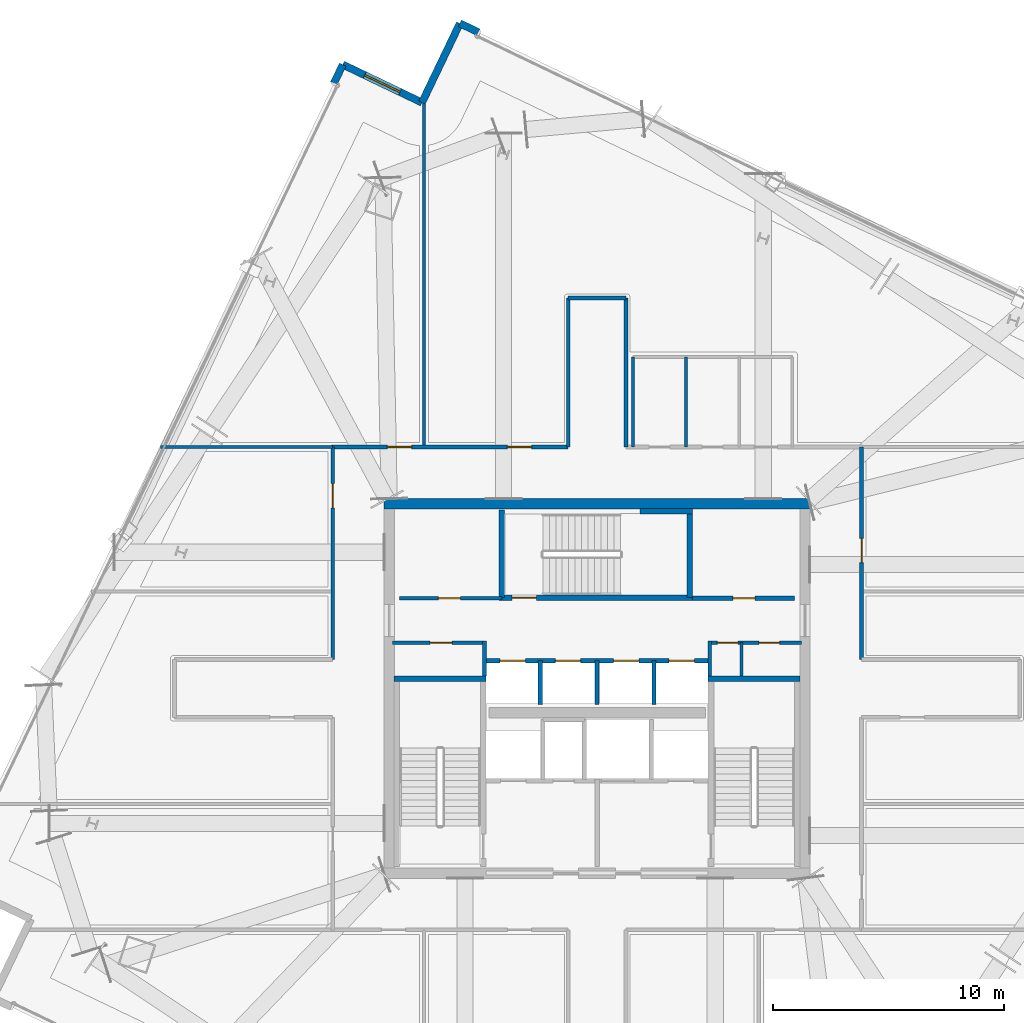
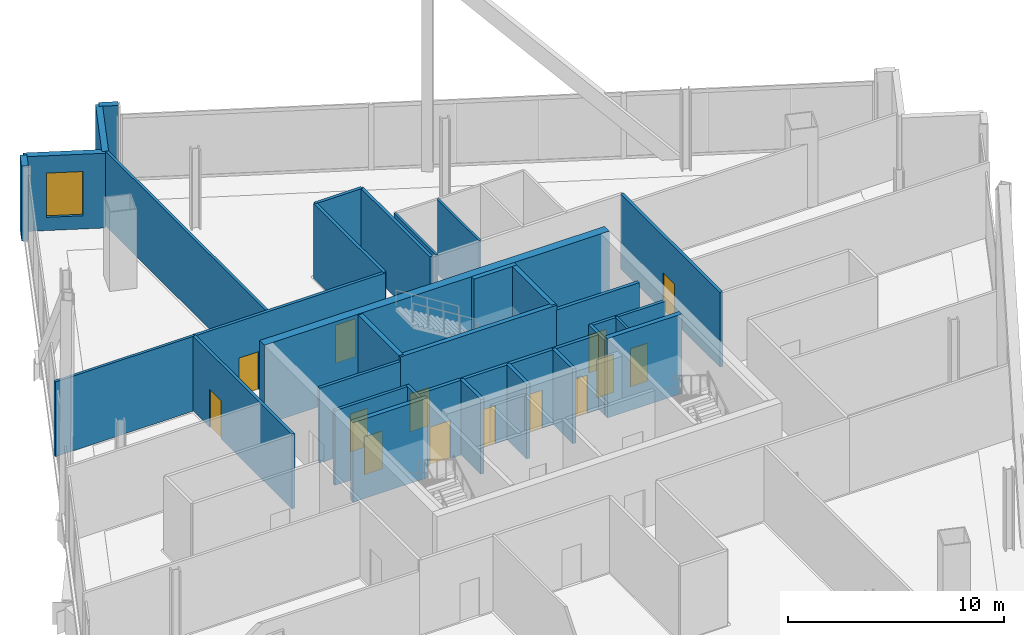
# One storey, part 18 of 24: 32 walls, 14 doors, 1 window, 15 openings.
"""IFC4 building model written with IfcOpenShell, lengths in metres."""

from ifc_helpers import new_model, si_unit, direction, frame, frame_2d, origin, place, context, subcontext, project, spatial, rectangle, extrude, material, layer, layer_set, type_object, element, fill, save


model = new_model("IFC4")

# Units and contexts
model_context = context("Model", 3, precision=1e-05, world=origin(), true_north=direction((0.0, 1.0)))
body_context = subcontext(model_context, "Body", "Model", "MODEL_VIEW")
ifc_project = project(units=[si_unit("LENGTHUNIT", "METRE"), si_unit("AREAUNIT", "SQUARE_METRE"), si_unit("VOLUMEUNIT", "CUBIC_METRE"), si_unit("PLANEANGLEUNIT", "RADIAN"), si_unit("MASSUNIT", "GRAM", prefix="KILO")], contexts=[model_context])

# Site, building, storey
site_placement = place(None, origin())
site = spatial("IfcSite", under=ifc_project, at=site_placement, CompositionType="ELEMENT")
building_placement = place(site_placement, origin())
building = spatial("IfcBuilding", under=site, at=building_placement, Name="Haldenkirk Collegiate Tower", CompositionType="ELEMENT")
storey_placement = place(building_placement, frame((0.0, 0.0, 244.199951171875)))
storey = spatial("IfcBuildingStorey", under=building, at=storey_placement, Name="L61", CompositionType="ELEMENT", Elevation=244.199951171875)

# Walls
ifc_material_1 = material(Name="Concrete f'c 55 MPa", Category="concrete")
ifc_layer_1 = layer(ifc_material_1, 0.449951171875)
ifc_layer_set_1 = layer_set([ifc_layer_1], Name="Concrete f'c 55 MPa")
wall_type_1 = type_object("IfcWallType", Name="WL-CORE-450", PredefinedType="SHEAR", material=ifc_layer_set_1)
wall_1_placement = place(storey_placement, frame((26.77490234375, 34.0, 0.0), z_axis=(0.0, 0.0, 1.0), x_axis=(1.0, 0.0, 0.0)))
element("IfcWall", 1, at=wall_1_placement, inside=storey, type_object=wall_type_1, Name="L61 central core shear wall N", PredefinedType="SHEAR", context=body_context, shape_type="SweptSolid", body=[
    extrude(rectangle(XDim=18.4501953125, YDim=0.449951171875, at=frame_2d((9.22509765625, 0.0))), origin(), (0.0, 0.0, 1.0), 4.5),
])
ifc_material_2 = material(Name="Precast concrete f'c 40 MPa", Category="concrete")
ifc_layer_2 = layer(ifc_material_2, 0.320068359375)
ifc_layer_set_2 = layer_set([ifc_layer_2], Name="Precast concrete f'c 40 MPa")
wall_type_2 = type_object("IfcWallType", Name="WL-EXT-TWR-320", PredefinedType="STANDARD", material=ifc_layer_set_2)
wall_2_placement = place(storey_placement, frame((30.05810546875, 54.7939453125, 0.0), z_axis=(0.0, 0.0, 1.0), x_axis=(0.901840249414, -0.432069629268, 0.0)))
element("IfcWall", 2, at=wall_2_placement, inside=storey, type_object=wall_type_2, Name="L61 precast corner pier EL", PredefinedType="STANDARD", context=body_context, shape_type="SweptSolid", body=[
    extrude(rectangle(XDim=0.900146484375, YDim=0.320068359375, at=frame_2d((0.4501953125, 0.0))), origin(), (0.0, 0.0, 1.0), 4.22998046875),
])
wall_3_placement = place(storey_placement, frame((28.416259765625, 51.366943359375, 0.0), z_axis=(0.0, 0.0, 1.0), x_axis=(0.432064663211, 0.901842628624, 0.0)))
element("IfcWall", 3, at=wall_3_placement, inside=storey, type_object=wall_type_2, Name="L61 bronze precast notch wall 05", PredefinedType="STANDARD", context=body_context, shape_type="SweptSolid", body=[
    extrude(rectangle(XDim=3.800048828125, YDim=0.320068359375, at=frame_2d((1.89990234375, 0.0))), origin(), (0.0, 0.0, 1.0), 4.22998046875),
])

# Wall, opening, window
wall_4_placement = place(storey_placement, frame((24.9892578125, 53.009033203125, 0.0), z_axis=(0.0, 0.0, 1.0), x_axis=(0.901817593476, -0.432116914848, 0.0)))
wall_4 = element("IfcWall", 4, at=wall_4_placement, inside=storey, type_object=wall_type_2, Name="L61 bronze precast notch wall 06", PredefinedType="STANDARD", context=body_context, shape_type="SweptSolid", body=[
    extrude(rectangle(XDim=3.800048828125, YDim=0.320068359375, at=frame_2d((1.89990234375, 0.0))), origin(), (0.0, 0.0, 1.0), 4.22998046875),
])
opening_1_placement = place(wall_4_placement, frame((1.050048828125, 0.0, 0.75)))
opening_1 = element("IfcOpeningElement", 5, at=opening_1_placement, cuts=wall_4, Name="Opening W-09", PredefinedType="OPENING", context=body_context, shape_type="SweptSolid", body=[
    extrude(rectangle(XDim=1.699951171875, YDim=2.5, at=frame_2d((0.85009765625, 1.25))), frame((0.0, 0.169921875, 0.0), z_axis=(0.0, -1.0, 0.0), x_axis=(1.0, 0.0, 0.0)), (0.0, 0.0, 1.0), 0.340087890625),
])
ifc_material_3 = material(Name="Low-E argon triple insulating glass", Category="glass")
ifc_layer_3 = layer(ifc_material_3, 0.090087890625)
ifc_layer_set_3 = layer_set([ifc_layer_3], Name="Low-E argon triple insulating glass")
window_type = type_object("IfcWindowType", Name="WN-SG-1700X2500", PartitioningType="SINGLE_PANEL", PredefinedType="WINDOW", material=ifc_layer_set_3)
window_placement = place(opening_1_placement, origin())
window = element("IfcWindow", 6, at=window_placement, inside=storey, type_object=window_type, Name="L61 precast-frame academic window 5", OverallHeight=2.5, OverallWidth=1.699951171875, PartitioningType="SINGLE_PANEL", PredefinedType="WINDOW", context=body_context, shape_type="SweptSolid", body=[
    extrude(rectangle(XDim=1.699951171875, YDim=2.5, at=frame_2d((0.85009765625, 1.25))), frame((0.0, 0.030029296875, 0.0), z_axis=(0.0, -1.0, 0.0), x_axis=(1.0, 0.0, 0.0)), (0.0, 0.0, 1.0), 0.06005859375),
])
fill(opening_1, window)

# Wall
wall_5_placement = place(storey_placement, frame((24.600341796875, 52.197509765625, 0.0), z_axis=(0.0, 0.0, 1.0), x_axis=(0.432175339096, 0.901789596457, 0.0)))
element("IfcWall", 7, at=wall_5_placement, inside=storey, type_object=wall_type_2, Name="L61 precast corner pier NR", PredefinedType="STANDARD", context=body_context, shape_type="SweptSolid", body=[
    extrude(rectangle(XDim=0.89990234375, YDim=0.320068359375, at=frame_2d((0.449951171875, 0.0))), origin(), (0.0, 0.0, 1.0), 4.22998046875),
])

# Wall, opening, door
ifc_material_4 = material(Name="Acoustic fire-rated gypsum partition", Category="concrete")
ifc_layer_4 = layer(ifc_material_4, 0.159912109375)
ifc_layer_set_4 = layer_set([ifc_layer_4], Name="Acoustic fire-rated gypsum partition")
wall_type_3 = type_object("IfcWallType", Name="WL-INT-CORR-160", PredefinedType="PARTITIONING", material=ifc_layer_set_4)
wall_6_placement = place(storey_placement, frame((27.14990234375, 27.97998046875, 0.0), z_axis=(0.0, 0.0, 1.0), x_axis=(1.0, 0.0, 0.0)))
wall_6 = element("IfcWall", 8, at=wall_6_placement, inside=storey, type_object=wall_type_3, Name="L61 interior partition IW-L61-VCSW-N", PredefinedType="PARTITIONING", context=body_context, shape_type="SweptSolid", body=[
    extrude(rectangle(XDim=4.050048828125, YDim=0.159912109375, at=frame_2d((2.02490234375, 0.0))), origin(), (0.0, 0.0, 1.0), 4.22998046875),
])
opening_2_placement = place(wall_6_placement, frame((1.625, 0.0, 0.0)))
opening_2 = element("IfcOpeningElement", 9, at=opening_2_placement, cuts=wall_6, Name="Opening D-10", PredefinedType="OPENING", context=body_context, shape_type="SweptSolid", body=[
    extrude(rectangle(XDim=0.949951171875, YDim=2.14990234375, at=frame_2d((0.47509765625, 1.074951171875))), frame((0.0, 0.08984375, 0.0), z_axis=(0.0, -1.0, 0.0), x_axis=(1.0, 0.0, 0.0)), (0.0, 0.0, 1.0), 0.179931640625),
])
ifc_material_5 = material(Name="Solid-core architectural oak fire door", Category="wood")
ifc_layer_5 = layer(ifc_material_5, 0.06005859375)
ifc_layer_set_5 = layer_set([ifc_layer_5], Name="Solid-core architectural oak fire door")
door_type_1 = type_object("IfcDoorType", Name="DR-INT-FD60-950", OperationType="NOTDEFINED", PredefinedType="DOOR", material=ifc_layer_set_5)
door_1_placement = place(opening_2_placement, origin())
door_1 = element("IfcDoor", 10, at=door_1_placement, inside=storey, type_object=door_type_1, Name="L61 core tea pantry door", OperationType="SINGLE_SWING_LEFT", OverallHeight=2.14990234375, OverallWidth=0.949951171875, PredefinedType="DOOR", context=body_context, shape_type="SweptSolid", body=[
    extrude(rectangle(XDim=0.949951171875, YDim=2.14990234375, at=frame_2d((0.47509765625, 1.074951171875))), frame((0.0, 0.02490234375, 0.0), z_axis=(0.0, -1.0, 0.0), x_axis=(1.0, 0.0, 0.0)), (0.0, 0.0, 1.0), 0.050048828125),
])
fill(opening_2, door_1)

# Wall
wall_7_placement = place(storey_placement, frame((31.1201171875, 26.5400390625, 0.0), z_axis=(0.0, 0.0, 1.0), x_axis=(0.0, 1.0, 0.0)))
element("IfcWall", 11, at=wall_7_placement, inside=storey, type_object=wall_type_3, Name="L61 interior partition IW-L61-VCSW-E", PredefinedType="PARTITIONING", context=body_context, shape_type="SweptSolid", body=[
    extrude(rectangle(XDim=1.510009765625, YDim=0.159912109375, at=frame_2d((0.7548828125, 0.0))), origin(), (0.0, 0.0, 1.0), 4.22998046875),
])

# Wall, openings, doors
wall_8_placement = place(storey_placement, frame((40.800048828125, 27.97998046875, 0.0), z_axis=(0.0, 0.0, 1.0), x_axis=(1.0, 0.0, 0.0)))
wall_8 = element("IfcWall", 12, at=wall_8_placement, inside=storey, type_object=wall_type_3, Name="L61 interior partition IW-L61-VCSE-N", PredefinedType="PARTITIONING", context=body_context, shape_type="SweptSolid", body=[
    extrude(rectangle(XDim=4.050048828125, YDim=0.159912109375, at=frame_2d((2.02490234375, 0.0))), origin(), (0.0, 0.0, 1.0), 4.22998046875),
])
opening_3_placement = place(wall_8_placement, frame((0.407470703125, 0.0, 0.0)))
opening_3 = element("IfcOpeningElement", 13, at=opening_3_placement, cuts=wall_8, Name="Opening D-11", PredefinedType="OPENING", context=body_context, shape_type="SweptSolid", body=[
    extrude(rectangle(XDim=0.89990234375, YDim=2.14990234375, at=frame_2d((0.449951171875, 1.074951171875))), frame((0.0, 0.08984375, 0.0), z_axis=(0.0, -1.0, 0.0), x_axis=(1.0, 0.0, 0.0)), (0.0, 0.0, 1.0), 0.179931640625),
])
opening_4_placement = place(wall_8_placement, frame((2.199951171875, 0.0, 0.0)))
opening_4 = element("IfcOpeningElement", 14, at=opening_4_placement, cuts=wall_8, Name="Opening D-11", PredefinedType="OPENING", context=body_context, shape_type="SweptSolid", body=[
    extrude(rectangle(XDim=0.89990234375, YDim=2.14990234375, at=frame_2d((0.449951171875, 1.074951171875))), frame((0.0, 0.08984375, 0.0), z_axis=(0.0, -1.0, 0.0), x_axis=(1.0, 0.0, 0.0)), (0.0, 0.0, 1.0), 0.179931640625),
])
ifc_layer_6 = layer(ifc_material_5, 0.06005859375)
ifc_layer_set_6 = layer_set([ifc_layer_6], Name="Solid-core architectural oak fire door")
door_type_2 = type_object("IfcDoorType", Name="DR-INT-FD60-900", OperationType="NOTDEFINED", PredefinedType="DOOR", material=ifc_layer_set_6)
door_2_placement = place(opening_3_placement, origin())
door_2 = element("IfcDoor", 15, at=door_2_placement, inside=storey, type_object=door_type_2, Name="L61 core copy room door", OperationType="SINGLE_SWING_RIGHT", OverallHeight=2.14990234375, OverallWidth=0.89990234375, PredefinedType="DOOR", context=body_context, shape_type="SweptSolid", body=[
    extrude(rectangle(XDim=0.89990234375, YDim=2.14990234375, at=frame_2d((0.449951171875, 1.074951171875))), frame((0.0, 0.02490234375, 0.0), z_axis=(0.0, -1.0, 0.0), x_axis=(1.0, 0.0, 0.0)), (0.0, 0.0, 1.0), 0.050048828125),
])
fill(opening_3, door_2)
door_3_placement = place(opening_4_placement, origin())
door_3 = element("IfcDoor", 16, at=door_3_placement, inside=storey, type_object=door_type_2, Name="L61 core records store door", OperationType="SINGLE_SWING_LEFT", OverallHeight=2.14990234375, OverallWidth=0.89990234375, PredefinedType="DOOR", context=body_context, shape_type="SweptSolid", body=[
    extrude(rectangle(XDim=0.89990234375, YDim=2.14990234375, at=frame_2d((0.449951171875, 1.074951171875))), frame((0.0, 0.02490234375, 0.0), z_axis=(0.0, -1.0, 0.0), x_axis=(1.0, 0.0, 0.0)), (0.0, 0.0, 1.0), 0.050048828125),
])
fill(opening_4, door_3)

# Wall
wall_9_placement = place(storey_placement, frame((40.8798828125, 26.5400390625, 0.0), z_axis=(0.0, 0.0, 1.0), x_axis=(0.0, 1.0, 0.0)))
element("IfcWall", 17, at=wall_9_placement, inside=storey, type_object=wall_type_3, Name="L61 interior partition IW-L61-VCSE-W", PredefinedType="PARTITIONING", context=body_context, shape_type="SweptSolid", body=[
    extrude(rectangle(XDim=1.510009765625, YDim=0.159912109375, at=frame_2d((0.7548828125, 0.0))), origin(), (0.0, 0.0, 1.0), 4.22998046875),
])

# Wall, opening, door
wall_10_placement = place(storey_placement, frame((27.449951171875, 29.89990234375, 0.0), z_axis=(0.0, 0.0, 1.0), x_axis=(1.0, 0.0, 0.0)))
wall_10 = element("IfcWall", 18, at=wall_10_placement, inside=storey, type_object=wall_type_3, Name="L61 interior partition IW-L61-PLS", PredefinedType="PARTITIONING", context=body_context, shape_type="SweptSolid", body=[
    extrude(rectangle(XDim=4.429931640625, YDim=0.159912109375, at=frame_2d((2.21484375, 0.0))), origin(), (0.0, 0.0, 1.0), 4.22998046875),
])
opening_5_placement = place(wall_10_placement, frame((1.675048828125, 0.0, 0.0)))
opening_5 = element("IfcOpeningElement", 19, at=opening_5_placement, cuts=wall_10, Name="Opening D-10", PredefinedType="OPENING", context=body_context, shape_type="SweptSolid", body=[
    extrude(rectangle(XDim=0.949951171875, YDim=2.14990234375, at=frame_2d((0.47509765625, 1.074951171875))), frame((0.0, 0.08984375, 0.0), z_axis=(0.0, -1.0, 0.0), x_axis=(1.0, 0.0, 0.0)), (0.0, 0.0, 1.0), 0.179931640625),
])
door_4_placement = place(opening_5_placement, origin())
door_4 = element("IfcDoor", 20, at=door_4_placement, inside=storey, type_object=door_type_1, Name="L61 archive door", OperationType="SINGLE_SWING_RIGHT", OverallHeight=2.14990234375, OverallWidth=0.949951171875, PredefinedType="DOOR", context=body_context, shape_type="SweptSolid", body=[
    extrude(rectangle(XDim=0.949951171875, YDim=2.14990234375, at=frame_2d((0.47509765625, 1.074951171875))), frame((0.0, 0.02490234375, 0.0), z_axis=(0.0, -1.0, 0.0), x_axis=(1.0, 0.0, 0.0)), (0.0, 0.0, 1.0), 0.050048828125),
])
fill(opening_5, door_4)

# Wall, openings, doors
wall_11_placement = place(storey_placement, frame((24.5, 36.449951171875, 0.0), z_axis=(0.0, 0.0, 1.0), x_axis=(1.0, 0.0, 0.0)))
wall_11 = element("IfcWall", 21, at=wall_11_placement, inside=storey, type_object=wall_type_3, Name="L61 interior partition IW-L61-CN1", PredefinedType="PARTITIONING", context=body_context, shape_type="SweptSolid", body=[
    extrude(rectangle(XDim=10.25, YDim=0.159912109375, at=frame_2d((5.125, 0.0))), origin(), (0.0, 0.0, 1.0), 4.22998046875),
])
opening_6_placement = place(wall_11_placement, frame((2.4208984375, 0.0, 0.0)))
opening_6 = element("IfcOpeningElement", 22, at=opening_6_placement, cuts=wall_11, Name="Opening D-09", PredefinedType="OPENING", context=body_context, shape_type="SweptSolid", body=[
    extrude(rectangle(XDim=1.050048828125, YDim=2.14990234375, at=frame_2d((0.52490234375, 1.074951171875))), frame((0.0, 0.08984375, 0.0), z_axis=(0.0, -1.0, 0.0), x_axis=(1.0, 0.0, 0.0)), (0.0, 0.0, 1.0), 0.179931640625),
])
opening_7_placement = place(wall_11_placement, frame((7.618896484375, 0.0, 0.0)))
opening_7 = element("IfcOpeningElement", 23, at=opening_7_placement, cuts=wall_11, Name="Opening D-09", PredefinedType="OPENING", context=body_context, shape_type="SweptSolid", body=[
    extrude(rectangle(XDim=1.050048828125, YDim=2.14990234375, at=frame_2d((0.52490234375, 1.074951171875))), frame((0.0, 0.08984375, 0.0), z_axis=(0.0, -1.0, 0.0), x_axis=(1.0, 0.0, 0.0)), (0.0, 0.0, 1.0), 0.179931640625),
])
ifc_layer_7 = layer(ifc_material_5, 0.06005859375)
ifc_layer_set_7 = layer_set([ifc_layer_7], Name="Solid-core architectural oak fire door")
door_type_3 = type_object("IfcDoorType", Name="DR-INT-FD60-1050", OperationType="NOTDEFINED", PredefinedType="DOOR", material=ifc_layer_set_7)
door_5_placement = place(opening_6_placement, origin())
door_5 = element("IfcDoor", 24, at=door_5_placement, inside=storey, type_object=door_type_3, Name="L61 Departmental Office 4 door", OperationType="SINGLE_SWING_RIGHT", OverallHeight=2.14990234375, OverallWidth=1.050048828125, PredefinedType="DOOR", context=body_context, shape_type="SweptSolid", body=[
    extrude(rectangle(XDim=1.050048828125, YDim=2.14990234375, at=frame_2d((0.52490234375, 1.074951171875))), frame((0.0, 0.02490234375, 0.0), z_axis=(0.0, -1.0, 0.0), x_axis=(1.0, 0.0, 0.0)), (0.0, 0.0, 1.0), 0.050048828125),
])
fill(opening_6, door_5)
door_6_placement = place(opening_7_placement, origin())
door_6 = element("IfcDoor", 25, at=door_6_placement, inside=storey, type_object=door_type_3, Name="L61 Visiting Scholar Office 5 door", OperationType="SINGLE_SWING_LEFT", OverallHeight=2.14990234375, OverallWidth=1.050048828125, PredefinedType="DOOR", context=body_context, shape_type="SweptSolid", body=[
    extrude(rectangle(XDim=1.050048828125, YDim=2.14990234375, at=frame_2d((0.52490234375, 1.074951171875))), frame((0.0, 0.02490234375, 0.0), z_axis=(0.0, -1.0, 0.0), x_axis=(1.0, 0.0, 0.0)), (0.0, 0.0, 1.0), 0.050048828125),
])
fill(opening_7, door_6)

# Wall, opening, door
wall_12_placement = place(storey_placement, frame((24.550048828125, 27.25, 0.0), z_axis=(0.0, 0.0, 1.0), x_axis=(0.0, 1.0, 0.0)))
wall_12 = element("IfcWall", 26, at=wall_12_placement, inside=storey, type_object=wall_type_3, Name="L61 interior partition IW-L61-CW2", PredefinedType="PARTITIONING", context=body_context, shape_type="SweptSolid", body=[
    extrude(rectangle(XDim=9.199951171875, YDim=0.159912109375, at=frame_2d((4.60009765625, 0.0))), origin(), (0.0, 0.0, 1.0), 4.22998046875),
])
opening_8_placement = place(wall_12_placement, frame((6.569091796875, 0.0, 0.0)))
opening_8 = element("IfcOpeningElement", 27, at=opening_8_placement, cuts=wall_12, Name="Opening D-09", PredefinedType="OPENING", context=body_context, shape_type="SweptSolid", body=[
    extrude(rectangle(XDim=1.050048828125, YDim=2.14990234375, at=frame_2d((0.52490234375, 1.074951171875))), frame((0.0, 0.08984375, 0.0), z_axis=(0.0, -1.0, 0.0), x_axis=(1.0, 0.0, 0.0)), (0.0, 0.0, 1.0), 0.179931640625),
])
door_7_placement = place(opening_8_placement, origin())
door_7 = element("IfcDoor", 28, at=door_7_placement, inside=storey, type_object=door_type_3, Name="L61 Senior Fellow Office 8 door", OperationType="SINGLE_SWING_RIGHT", OverallHeight=2.14990234375, OverallWidth=1.050048828125, PredefinedType="DOOR", context=body_context, shape_type="SweptSolid", body=[
    extrude(rectangle(XDim=1.050048828125, YDim=2.14990234375, at=frame_2d((0.52490234375, 1.074951171875))), frame((0.0, 0.02490234375, 0.0), z_axis=(0.0, -1.0, 0.0), x_axis=(1.0, 0.0, 0.0)), (0.0, 0.0, 1.0), 0.050048828125),
])
fill(opening_8, door_7)

wall_13_placement = place(storey_placement, frame((47.449951171875, 27.25, 0.0), z_axis=(0.0, 0.0, 1.0), x_axis=(0.0, 1.0, 0.0)))
wall_13 = element("IfcWall", 29, at=wall_13_placement, inside=storey, type_object=wall_type_3, Name="L61 interior partition IW-L61-CE2", PredefinedType="PARTITIONING", context=body_context, shape_type="SweptSolid", body=[
    extrude(rectangle(XDim=9.199951171875, YDim=0.159912109375, at=frame_2d((4.60009765625, 0.0))), origin(), (0.0, 0.0, 1.0), 4.22998046875),
])
opening_9_placement = place(wall_13_placement, frame((4.198974609375, 0.0, 0.0)))
opening_9 = element("IfcOpeningElement", 30, at=opening_9_placement, cuts=wall_13, Name="Opening D-09", PredefinedType="OPENING", context=body_context, shape_type="SweptSolid", body=[
    extrude(rectangle(XDim=1.050048828125, YDim=2.14990234375, at=frame_2d((0.52490234375, 1.074951171875))), frame((0.0, 0.08984375, 0.0), z_axis=(0.0, -1.0, 0.0), x_axis=(1.0, 0.0, 0.0)), (0.0, 0.0, 1.0), 0.179931640625),
])
door_8_placement = place(opening_9_placement, origin())
door_8 = element("IfcDoor", 31, at=door_8_placement, inside=storey, type_object=door_type_3, Name="L61 Visiting Scholar Office 11 door", OperationType="SINGLE_SWING_LEFT", OverallHeight=2.14990234375, OverallWidth=1.050048828125, PredefinedType="DOOR", context=body_context, shape_type="SweptSolid", body=[
    extrude(rectangle(XDim=1.050048828125, YDim=2.14990234375, at=frame_2d((0.52490234375, 1.074951171875))), frame((0.0, 0.02490234375, 0.0), z_axis=(0.0, -1.0, 0.0), x_axis=(1.0, 0.0, 0.0)), (0.0, 0.0, 1.0), 0.050048828125),
])
fill(opening_9, door_8)

# Walls
for number, where, z_axis, x_axis, name in (
    (32, (34.75, 36.449951171875, 0.0), (0.0, 0.0, 1.0), (0.0, 1.0, 0.0), "L61 interior partition IW-L61-NPW"),
    (33, (37.25, 36.449951171875, 0.0), (0.0, 0.0, 1.0), (0.0, 1.0, 0.0), "L61 interior partition IW-L61-NPE"),
):
    element("IfcWall", number, at=place(storey_placement, frame(where, z_axis=z_axis, x_axis=x_axis)), inside=storey, type_object=wall_type_3, Name=name, PredefinedType="PARTITIONING", context=body_context, shape_type="SweptSolid", body=[
        extrude(rectangle(XDim=6.449951171875, YDim=0.159912109375, at=frame_2d((3.22509765625, 0.0))), origin(), (0.0, 0.0, 1.0), 4.22998046875),
    ])
wall_14_placement = place(storey_placement, frame((34.75, 42.89990234375, 0.0), z_axis=(0.0, 0.0, 1.0), x_axis=(1.0, 0.0, 0.0)))
element("IfcWall", 34, at=wall_14_placement, inside=storey, type_object=wall_type_3, Name="L61 interior partition IW-L61-NPN", PredefinedType="PARTITIONING", context=body_context, shape_type="SweptSolid", body=[
    extrude(rectangle(XDim=2.5, YDim=0.159912109375, at=frame_2d((1.25, 0.0))), origin(), (0.0, 0.0, 1.0), 4.22998046875),
])
ifc_layer_8 = layer(ifc_material_4, 0.139892578125)
ifc_layer_set_8 = layer_set([ifc_layer_8], Name="Acoustic fire-rated gypsum partition")
wall_type_4 = type_object("IfcWallType", Name="WL-INT-DIV-140", PredefinedType="PARTITIONING", material=ifc_layer_set_8)
wall_15_placement = place(storey_placement, frame((17.099853515625, 36.449951171875, 0.0), z_axis=(0.0, 0.0, 1.0), x_axis=(1.0, 0.0, 0.0)))
element("IfcWall", 35, at=wall_15_placement, inside=storey, type_object=wall_type_4, Name="L61 interior partition IW-L61-BWN", PredefinedType="PARTITIONING", context=body_context, shape_type="SweptSolid", body=[
    extrude(rectangle(XDim=7.4501953125, YDim=0.139892578125, at=frame_2d((3.72509765625, 0.0))), origin(), (0.0, 0.0, 1.0), 4.22998046875),
])
wall_16_placement = place(storey_placement, frame((28.5, 36.449951171875, 0.0), z_axis=(0.0, 0.0, 1.0), x_axis=(0.0, 1.0, 0.0)))
element("IfcWall", 36, at=wall_16_placement, inside=storey, type_object=wall_type_4, Name="L61 interior partition IW-L61-RN1", PredefinedType="PARTITIONING", context=body_context, shape_type="SweptSolid", body=[
    extrude(rectangle(XDim=14.999267578125, YDim=0.139892578125, at=frame_2d((7.49951171875, 0.0))), origin(), (0.0, 0.0, 1.0), 4.22998046875),
])

# Wall, opening, door
ifc_material_6 = material(Name="Fire-rated gypsum shaftboard assembly", Category="concrete")
ifc_layer_9 = layer(ifc_material_6, 0.179931640625)
ifc_layer_set_9 = layer_set([ifc_layer_9], Name="Fire-rated gypsum shaftboard assembly")
wall_type_5 = type_object("IfcWallType", Name="WL-INT-SHAFT-180", PredefinedType="PARTITIONING", material=ifc_layer_set_9)
wall_17_placement = place(storey_placement, frame((40.1201171875, 29.89990234375, 0.0), z_axis=(0.0, 0.0, 1.0), x_axis=(1.0, 0.0, 0.0)))
wall_17 = element("IfcWall", 37, at=wall_17_placement, inside=storey, type_object=wall_type_5, Name="L61 interior partition IW-L61-PMS", PredefinedType="PARTITIONING", context=body_context, shape_type="SweptSolid", body=[
    extrude(rectangle(XDim=4.429931640625, YDim=0.179931640625, at=frame_2d((2.21484375, 0.0))), origin(), (0.0, 0.0, 1.0), 4.22998046875),
])
opening_10_placement = place(wall_17_placement, frame((1.7548828125, 0.0, 0.0)))
opening_10 = element("IfcOpeningElement", 38, at=opening_10_placement, cuts=wall_17, Name="Opening D-05", PredefinedType="OPENING", context=body_context, shape_type="SweptSolid", body=[
    extrude(rectangle(XDim=0.949951171875, YDim=2.14990234375, at=frame_2d((0.47509765625, 1.074951171875))), frame((0.0, 0.099853515625, 0.0), z_axis=(0.0, -1.0, 0.0), x_axis=(1.0, 0.0, 0.0)), (0.0, 0.0, 1.0), 0.199951171875),
])
ifc_material_7 = material(Name="Galvanized fire-rated hollow steel door", Category="steel")
ifc_layer_10 = layer(ifc_material_7, 0.06005859375)
ifc_layer_set_10 = layer_set([ifc_layer_10], Name="Galvanized fire-rated hollow steel door")
door_type_4 = type_object("IfcDoorType", Name="DR-INT-FD90-950", OperationType="NOTDEFINED", PredefinedType="DOOR", material=ifc_layer_set_10)
door_9_placement = place(opening_10_placement, origin())
door_9 = element("IfcDoor", 39, at=door_9_placement, inside=storey, type_object=door_type_4, Name="L61 PM machine room door", OperationType="SINGLE_SWING_LEFT", OverallHeight=2.14990234375, OverallWidth=0.949951171875, PredefinedType="DOOR", context=body_context, shape_type="SweptSolid", body=[
    extrude(rectangle(XDim=0.949951171875, YDim=2.14990234375, at=frame_2d((0.47509765625, 1.074951171875))), frame((0.0, 0.02490234375, 0.0), z_axis=(0.0, -1.0, 0.0), x_axis=(1.0, 0.0, 0.0)), (0.0, 0.0, 1.0), 0.050048828125),
])
fill(opening_10, door_9)

# Wall, openings, doors
wall_18_placement = place(storey_placement, frame((31.199951171875, 27.199951171875, 0.0), z_axis=(0.0, 0.0, 1.0), x_axis=(1.0, 0.0, 0.0)))
wall_18 = element("IfcWall", 40, at=wall_18_placement, inside=storey, type_object=wall_type_5, Name="L61 interior partition IW-L61-PHN", PredefinedType="PARTITIONING", context=body_context, shape_type="SweptSolid", body=[
    extrude(rectangle(XDim=9.60009765625, YDim=0.179931640625, at=frame_2d((4.800048828125, 0.0))), origin(), (0.0, 0.0, 1.0), 4.22998046875),
])
opening_11_placement = place(wall_18_placement, frame((0.590087890625, 0.0, 0.0)))
opening_11 = element("IfcOpeningElement", 41, at=opening_11_placement, cuts=wall_18, Name="Opening LD-11", PredefinedType="OPENING", context=body_context, shape_type="SweptSolid", body=[
    extrude(rectangle(XDim=1.10009765625, YDim=2.14990234375, at=frame_2d((0.550048828125, 1.074951171875))), frame((0.0, 0.099853515625, 0.0), z_axis=(0.0, -1.0, 0.0), x_axis=(1.0, 0.0, 0.0)), (0.0, 0.0, 1.0), 0.199951171875),
])
opening_12_placement = place(wall_18_placement, frame((2.989990234375, 0.0, 0.0)))
opening_12 = element("IfcOpeningElement", 42, at=opening_12_placement, cuts=wall_18, Name="Opening LD-11", PredefinedType="OPENING", context=body_context, shape_type="SweptSolid", body=[
    extrude(rectangle(XDim=1.10009765625, YDim=2.14990234375, at=frame_2d((0.550048828125, 1.074951171875))), frame((0.0, 0.099853515625, 0.0), z_axis=(0.0, -1.0, 0.0), x_axis=(1.0, 0.0, 0.0)), (0.0, 0.0, 1.0), 0.199951171875),
])
opening_13_placement = place(wall_18_placement, frame((5.510009765625, 0.0, 0.0)))
opening_13 = element("IfcOpeningElement", 43, at=opening_13_placement, cuts=wall_18, Name="Opening LD-11", PredefinedType="OPENING", context=body_context, shape_type="SweptSolid", body=[
    extrude(rectangle(XDim=1.10009765625, YDim=2.14990234375, at=frame_2d((0.550048828125, 1.074951171875))), frame((0.0, 0.099853515625, 0.0), z_axis=(0.0, -1.0, 0.0), x_axis=(1.0, 0.0, 0.0)), (0.0, 0.0, 1.0), 0.199951171875),
])
opening_14_placement = place(wall_18_placement, frame((7.909912109375, 0.0, 0.0)))
opening_14 = element("IfcOpeningElement", 44, at=opening_14_placement, cuts=wall_18, Name="Opening LD-11", PredefinedType="OPENING", context=body_context, shape_type="SweptSolid", body=[
    extrude(rectangle(XDim=1.10009765625, YDim=2.14990234375, at=frame_2d((0.550048828125, 1.074951171875))), frame((0.0, 0.099853515625, 0.0), z_axis=(0.0, -1.0, 0.0), x_axis=(1.0, 0.0, 0.0)), (0.0, 0.0, 1.0), 0.199951171875),
])
ifc_material_8 = material(Name="Brushed architectural stainless steel", Category="steel")
ifc_layer_11 = layer(ifc_material_8, 0.06005859375)
ifc_layer_set_11 = layer_set([ifc_layer_11], Name="Brushed architectural stainless steel")
door_type_5 = type_object("IfcDoorType", Name="LD-PASS-1100", OperationType="NOTDEFINED", PredefinedType="DOOR", material=ifc_layer_set_11)
door_10_placement = place(opening_11_placement, origin())
door_10 = element("IfcDoor", 45, at=door_10_placement, inside=storey, type_object=door_type_5, Name="L61 Elevator PH1 sliding landing door", OperationType="SLIDING_TO_LEFT", OverallHeight=2.14990234375, OverallWidth=1.10009765625, PredefinedType="DOOR", context=body_context, shape_type="SweptSolid", body=[
    extrude(rectangle(XDim=1.10009765625, YDim=2.14990234375, at=frame_2d((0.550048828125, 1.074951171875))), frame((0.0, 0.02490234375, 0.0), z_axis=(0.0, -1.0, 0.0), x_axis=(1.0, 0.0, 0.0)), (0.0, 0.0, 1.0), 0.050048828125),
])
fill(opening_11, door_10)
door_11_placement = place(opening_12_placement, origin())
door_11 = element("IfcDoor", 46, at=door_11_placement, inside=storey, type_object=door_type_5, Name="L61 Elevator PH2 sliding landing door", OperationType="SLIDING_TO_LEFT", OverallHeight=2.14990234375, OverallWidth=1.10009765625, PredefinedType="DOOR", context=body_context, shape_type="SweptSolid", body=[
    extrude(rectangle(XDim=1.10009765625, YDim=2.14990234375, at=frame_2d((0.550048828125, 1.074951171875))), frame((0.0, 0.02490234375, 0.0), z_axis=(0.0, -1.0, 0.0), x_axis=(1.0, 0.0, 0.0)), (0.0, 0.0, 1.0), 0.050048828125),
])
fill(opening_12, door_11)
door_12_placement = place(opening_13_placement, origin())
door_12 = element("IfcDoor", 47, at=door_12_placement, inside=storey, type_object=door_type_5, Name="L61 Elevator PH3 sliding landing door", OperationType="SLIDING_TO_LEFT", OverallHeight=2.14990234375, OverallWidth=1.10009765625, PredefinedType="DOOR", context=body_context, shape_type="SweptSolid", body=[
    extrude(rectangle(XDim=1.10009765625, YDim=2.14990234375, at=frame_2d((0.550048828125, 1.074951171875))), frame((0.0, 0.02490234375, 0.0), z_axis=(0.0, -1.0, 0.0), x_axis=(1.0, 0.0, 0.0)), (0.0, 0.0, 1.0), 0.050048828125),
])
fill(opening_13, door_12)
door_13_placement = place(opening_14_placement, origin())
door_13 = element("IfcDoor", 48, at=door_13_placement, inside=storey, type_object=door_type_5, Name="L61 Elevator PH4 sliding landing door", OperationType="SLIDING_TO_LEFT", OverallHeight=2.14990234375, OverallWidth=1.10009765625, PredefinedType="DOOR", context=body_context, shape_type="SweptSolid", body=[
    extrude(rectangle(XDim=1.10009765625, YDim=2.14990234375, at=frame_2d((0.550048828125, 1.074951171875))), frame((0.0, 0.02490234375, 0.0), z_axis=(0.0, -1.0, 0.0), x_axis=(1.0, 0.0, 0.0)), (0.0, 0.0, 1.0), 0.050048828125),
])
fill(opening_14, door_13)

# Walls
for number, where, z_axis, x_axis, name in (
    (49, (33.5400390625, 25.300048828125, 0.0), (0.0, 0.0, 1.0), (0.0, 1.0, 0.0), "L61 interior partition IW-L61-PHV1"),
    (50, (36.0, 25.300048828125, 0.0), (0.0, 0.0, 1.0), (0.0, 1.0, 0.0), "L61 interior partition IW-L61-PHV2"),
    (51, (38.4599609375, 25.300048828125, 0.0), (0.0, 0.0, 1.0), (0.0, 1.0, 0.0), "L61 interior partition IW-L61-PHV3"),
):
    element("IfcWall", number, at=place(storey_placement, frame(where, z_axis=z_axis, x_axis=x_axis)), inside=storey, type_object=wall_type_5, Name=name, PredefinedType="PARTITIONING", context=body_context, shape_type="SweptSolid", body=[
        extrude(rectangle(XDim=1.89990234375, YDim=0.179931640625, at=frame_2d((0.949951171875, 0.0))), origin(), (0.0, 0.0, 1.0), 4.22998046875),
    ])
ifc_layer_12 = layer(ifc_material_4, 0.1201171875)
ifc_layer_set_12 = layer_set([ifc_layer_12], Name="Acoustic fire-rated gypsum partition")
wall_type_6 = type_object("IfcWallType", Name="WL-INT-WET-120", PredefinedType="PARTITIONING", material=ifc_layer_set_12)
wall_19_placement = place(storey_placement, frame((42.25, 26.5400390625, 0.0), z_axis=(0.0, 0.0, 1.0), x_axis=(0.0, 1.0, 0.0)))
element("IfcWall", 52, at=wall_19_placement, inside=storey, type_object=wall_type_6, Name="L61 interior partition IW-L61-VCSE-M", PredefinedType="PARTITIONING", context=body_context, shape_type="SweptSolid", body=[
    extrude(rectangle(XDim=1.43994140625, YDim=0.1201171875, at=frame_2d((0.719970703125, 0.0))), origin(), (0.0, 0.0, 1.0), 4.22998046875),
])
for number, where, z_axis, x_axis, name in (
    (53, (37.550048828125, 36.449951171875, 0.0), (0.0, 0.0, 1.0), (0.0, 1.0, 0.0), "L61 interior partition IW-L61-WCW"),
    (54, (39.85009765625, 36.449951171875, 0.0), (0.0, 0.0, 1.0), (0.0, 1.0, 0.0), "L61 interior partition IW-L61-WC1"),
):
    element("IfcWall", number, at=place(storey_placement, frame(where, z_axis=z_axis, x_axis=x_axis)), inside=storey, type_object=wall_type_6, Name=name, PredefinedType="PARTITIONING", context=body_context, shape_type="SweptSolid", body=[
        extrude(rectangle(XDim=3.900146484375, YDim=0.1201171875, at=frame_2d((1.9501953125, 0.0))), origin(), (0.0, 0.0, 1.0), 4.22998046875),
    ])
ifc_layer_13 = layer(ifc_material_1, 0.239990234375)
ifc_layer_set_13 = layer_set([ifc_layer_13], Name="Concrete f'c 55 MPa")
wall_type_7 = type_object("IfcWallType", Name="WL-SHAFT-240", PredefinedType="SHEAR", material=ifc_layer_set_13)
for number, where, z_axis, x_axis, name in (
    (55, (27.2099609375, 26.419921875, 0.0), (0.0, 0.0, 1.0), (1.0, 0.0, 0.0), "L61 stair shaft shear wall SW-L61-ST1N"),
    (56, (40.81005859375, 26.419921875, 0.0), (0.0, 0.0, 1.0), (1.0, 0.0, 0.0), "L61 stair shaft shear wall SW-L61-ST2N"),
):
    element("IfcWall", number, at=place(storey_placement, frame(where, z_axis=z_axis, x_axis=x_axis)), inside=storey, type_object=wall_type_7, Name=name, PredefinedType="SHEAR", context=body_context, shape_type="SweptSolid", body=[
        extrude(rectangle(XDim=3.97998046875, YDim=0.239990234375, at=frame_2d((1.989990234375, 0.0))), origin(), (0.0, 0.0, 1.0), 4.5),
    ])

# Wall, opening, door
wall_20_placement = place(storey_placement, frame((31.760009765625, 29.929931640625, 0.0), z_axis=(0.0, 0.0, 1.0), x_axis=(1.0, 0.0, 0.0)))
wall_20 = element("IfcWall", 57, at=wall_20_placement, inside=storey, type_object=wall_type_7, Name="L61 stair shaft shear wall SW-L61-ST3S", PredefinedType="SHEAR", context=body_context, shape_type="SweptSolid", body=[
    extrude(rectangle(XDim=8.3798828125, YDim=0.239990234375, at=frame_2d((4.18994140625, 0.0))), origin(), (0.0, 0.0, 1.0), 4.5),
])
opening_15_placement = place(wall_20_placement, frame((0.56494140625, 0.0, 0.0)))
opening_15 = element("IfcOpeningElement", 58, at=opening_15_placement, cuts=wall_20, Name="Opening D-01", PredefinedType="OPENING", context=body_context, shape_type="SweptSolid", body=[
    extrude(rectangle(XDim=1.050048828125, YDim=2.14990234375, at=frame_2d((0.52490234375, 1.074951171875))), frame((0.0, 0.1298828125, 0.0), z_axis=(0.0, -1.0, 0.0), x_axis=(1.0, 0.0, 0.0)), (0.0, 0.0, 1.0), 0.260009765625),
])
ifc_layer_14 = layer(ifc_material_7, 0.06005859375)
ifc_layer_set_14 = layer_set([ifc_layer_14], Name="Galvanized fire-rated hollow steel door")
door_type_6 = type_object("IfcDoorType", Name="DR-STAIR-FD90-1050", OperationType="NOTDEFINED", PredefinedType="DOOR", material=ifc_layer_set_14)
door_14_placement = place(opening_15_placement, origin())
door_14 = element("IfcDoor", 59, at=door_14_placement, inside=storey, type_object=door_type_6, Name="L61 lift lobby Stair 3 door", OperationType="SINGLE_SWING_RIGHT", OverallHeight=2.14990234375, OverallWidth=1.050048828125, PredefinedType="DOOR", context=body_context, shape_type="SweptSolid", body=[
    extrude(rectangle(XDim=1.050048828125, YDim=2.14990234375, at=frame_2d((0.52490234375, 1.074951171875))), frame((0.0, 0.02490234375, 0.0), z_axis=(0.0, -1.0, 0.0), x_axis=(1.0, 0.0, 0.0)), (0.0, 0.0, 1.0), 0.050048828125),
])
fill(opening_15, door_14)

# Walls
wall_21_placement = place(storey_placement, frame((31.8798828125, 29.929931640625, 0.0), z_axis=(0.0, 0.0, 1.0), x_axis=(0.0, 1.0, 0.0)))
element("IfcWall", 60, at=wall_21_placement, inside=storey, type_object=wall_type_7, Name="L61 stair shaft shear wall SW-L61-ST3W", PredefinedType="SHEAR", context=body_context, shape_type="SweptSolid", body=[
    extrude(rectangle(XDim=3.7900390625, YDim=0.239990234375, at=frame_2d((1.89501953125, 0.0))), origin(), (0.0, 0.0, 1.0), 4.5),
])
wall_22_placement = place(storey_placement, frame((40.02001953125, 29.929931640625, 0.0), z_axis=(0.0, 0.0, 1.0), x_axis=(0.0, 1.0, 0.0)))
element("IfcWall", 61, at=wall_22_placement, inside=storey, type_object=wall_type_7, Name="L61 stair shaft shear wall SW-L61-ST3E", PredefinedType="SHEAR", context=body_context, shape_type="SweptSolid", body=[
    extrude(rectangle(XDim=3.85009765625, YDim=0.239990234375, at=frame_2d((1.925048828125, 0.0))), origin(), (0.0, 0.0, 1.0), 4.5),
])
wall_23_placement = place(storey_placement, frame((37.85009765625, 33.659912109375, 0.0), z_axis=(0.0, 0.0, 1.0), x_axis=(1.0, 0.0, 0.0)))
element("IfcWall", 62, at=wall_23_placement, inside=storey, type_object=wall_type_7, Name="L61 stair shaft shear wall SW-L61-ST3N", PredefinedType="SHEAR", context=body_context, shape_type="SweptSolid", body=[
    extrude(rectangle(XDim=2.289794921875, YDim=0.239990234375, at=frame_2d((1.14501953125, 0.0))), origin(), (0.0, 0.0, 1.0), 4.5),
])

save(model, "model.ifc")
